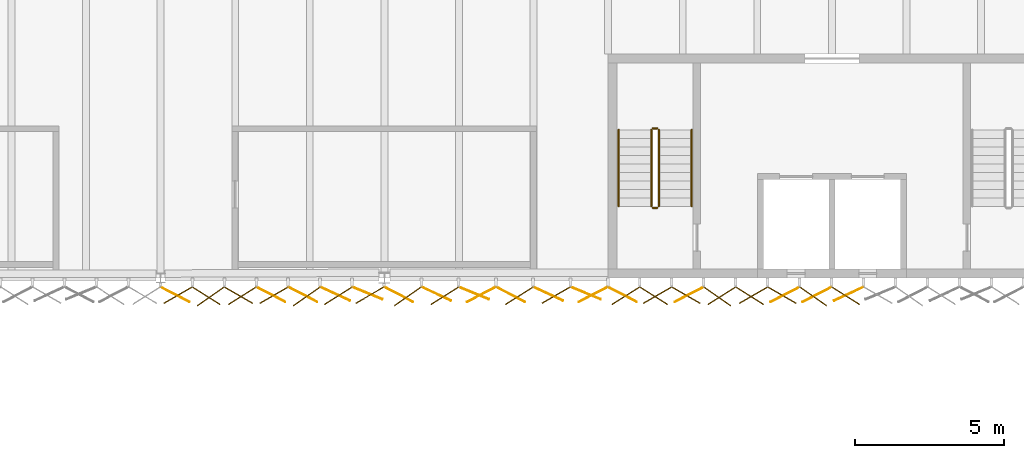
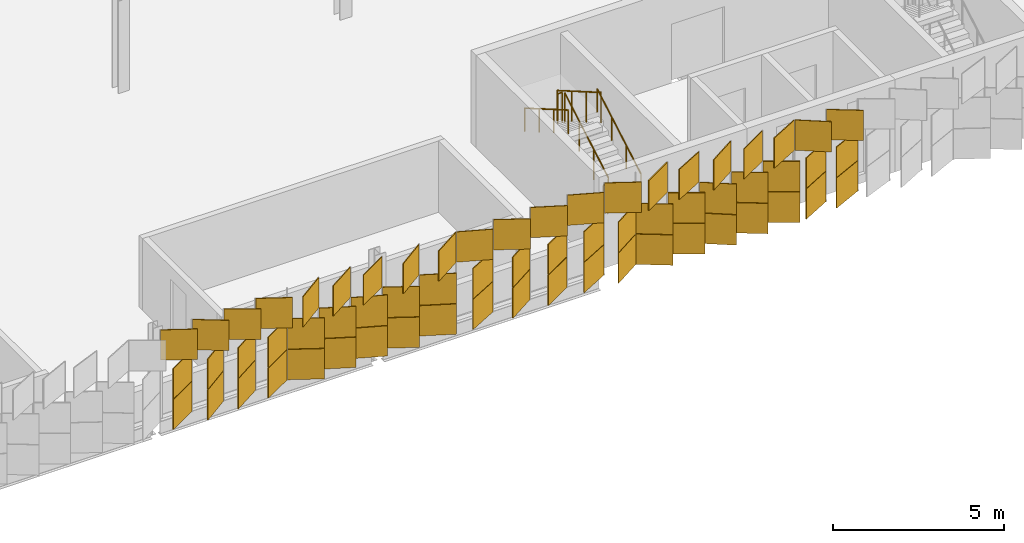
# One storey, part 184 of 198: 63 coverings, 6 railings.
"""IFC4 building model written with IfcOpenShell, lengths in metres."""

from ifc_helpers import new_model, si_unit, direction, frame, origin, origin_2d, place, context, subcontext, project, spatial, rectangle, circle, extrude, material, layer, layer_set, type_object, element, save


model = new_model("IFC4")

# Units and contexts
model_context = context("Model", 3, precision=1e-05, world=origin(), true_north=direction((0.0, 1.0)))
body_context = subcontext(model_context, "Body", "Model", "MODEL_VIEW")
ifc_project = project(units=[si_unit("LENGTHUNIT", "METRE"), si_unit("AREAUNIT", "SQUARE_METRE"), si_unit("VOLUMEUNIT", "CUBIC_METRE"), si_unit("PLANEANGLEUNIT", "RADIAN"), si_unit("MASSUNIT", "GRAM", prefix="KILO")], contexts=[model_context])

# Site, building, storey
site_placement = place(None, origin())
site = spatial("IfcSite", under=ifc_project, at=site_placement, CompositionType="ELEMENT")
building_placement = place(site_placement, origin())
building = spatial("IfcBuilding", under=site, at=building_placement, Name="Parallax Yard Mobility Hub", CompositionType="ELEMENT")
storey_placement = place(building_placement, frame((0.0, 0.0, 6.60009765625)))
storey = spatial("IfcBuildingStorey", under=building, at=storey_placement, Name="L02", CompositionType="ELEMENT", Elevation=6.60009765625)

# Coverings
ifc_material_1 = material(Name="Aluminium panel, champagne finish", Category="aluminium")
ifc_layer_1 = layer(ifc_material_1, 0.030029296875)
ifc_layer_set_1 = layer_set([ifc_layer_1], Name="Skin panel 22.5 degree turn, champagne finish")
covering_type_1 = type_object("IfcCoveringType", Name="Skin panel 22.5 degree turn, champagne finish", PredefinedType="CLADDING", material=ifc_layer_set_1)
for number, where, z_axis, x_axis, name in (
    (1, (119.43408203125, 111.987060546875, 1.119873046875), (0.0, 0.0, 1.0), (0.923879532511, -0.382683432365, 0.0), "Skin panel 22.5 bay 11.7 row 2 level L02"),
    (2, (123.00390625, 111.987060546875, 2.219970703125), (0.0, 0.0, 1.0), (0.923879532511, -0.382683432365, 0.0), "Skin panel 22.5 bay 12.3 row 3 level L02"),
    (3, (126.751708984375, 111.987060546875, 2.219970703125), (0.0, 0.0, 1.0), (0.923879532511, -0.382683432365, 0.0), "Skin panel 22.5 bay 12.6 row 3 level L02"),
):
    element("IfcCovering", number, at=place(storey_placement, frame(where, z_axis=z_axis, x_axis=x_axis)), inside=storey, type_object=covering_type_1, Name=name, ObjectType="SCREEN", PredefinedType="CLADDING", context=body_context, shape_type="SweptSolid", body=[
        extrude(rectangle(XDim=1.080078125, YDim=0.030029296875, at=origin_2d()), origin(), (0.0, 0.0, 1.0), 1.080078125),
    ])
ifc_material_2 = material(Name="Aluminium panel, light oak finish", Category="aluminium")
ifc_layer_2 = layer(ifc_material_2, 0.030029296875)
ifc_layer_set_2 = layer_set([ifc_layer_2], Name="Skin panel 22.5 degree turn, oak finish")
covering_type_2 = type_object("IfcCoveringType", Name="Skin panel 22.5 degree turn, oak finish", PredefinedType="CLADDING", material=ifc_layer_set_2)
covering_placement = place(storey_placement, frame((119.43408203125, 111.987060546875, 0.019775390625), z_axis=(0.0, 0.0, 1.0), x_axis=(0.923879532511, -0.382683432365, 0.0)))
element("IfcCovering", 4, at=covering_placement, inside=storey, type_object=covering_type_2, Name="Skin panel 22.5 bay 11.7 row 1 level L02", ObjectType="SCREEN", PredefinedType="CLADDING", context=body_context, shape_type="SweptSolid", body=[
    extrude(rectangle(XDim=1.080078125, YDim=0.030029296875, at=origin_2d()), origin(), (0.0, 0.0, 1.0), 1.080078125),
])
ifc_layer_3 = layer(ifc_material_1, 0.030029296875)
ifc_layer_set_3 = layer_set([ifc_layer_3], Name="Skin panel 25 degree turn, champagne finish")
covering_type_3 = type_object("IfcCoveringType", Name="Skin panel 25 degree turn, champagne finish", PredefinedType="CLADDING", material=ifc_layer_set_3)
for number, where, z_axis, x_axis, name in (
    (5, (118.352783203125, 111.96484375, 1.119873046875), (0.0, 0.0, 1.0), (0.906307787037, -0.422618261741, 0.0), "Skin panel 25 bay 11.6 row 2 level L02"),
    (6, (121.744873046875, 111.96484375, 1.119873046875), (0.0, 0.0, 1.0), (0.906307787037, -0.422618261741, 0.0), "Skin panel 25 bay 12.2 row 2 level L02"),
    (7, (125.49267578125, 111.96484375, 2.219970703125), (0.0, 0.0, 1.0), (0.906307787037, -0.422618261741, 0.0), "Skin panel 25 bay 12.5 row 3 level L02"),
    (8, (135.560546875, 111.96484375, 1.119873046875), (0.0, 0.0, 1.0), (-0.906307787037, -0.422618261741, 0.0), "Skin panel 25 bay 13.8 row 2 level L02"),
):
    element("IfcCovering", number, at=place(storey_placement, frame(where, z_axis=z_axis, x_axis=x_axis)), inside=storey, type_object=covering_type_3, Name=name, ObjectType="SCREEN", PredefinedType="CLADDING", context=body_context, shape_type="SweptSolid", body=[
        extrude(rectangle(XDim=1.080078125, YDim=0.030029296875, at=origin_2d()), origin(), (0.0, 0.0, 1.0), 1.080078125),
    ])
ifc_layer_4 = layer(ifc_material_2, 0.030029296875)
ifc_layer_set_4 = layer_set([ifc_layer_4], Name="Skin panel 25 degree turn, oak finish")
covering_type_4 = type_object("IfcCoveringType", Name="Skin panel 25 degree turn, oak finish", PredefinedType="CLADDING", material=ifc_layer_set_4)
for number, where, z_axis, x_axis, name in (
    (9, (118.352783203125, 111.96484375, 0.019775390625), (0.0, 0.0, 1.0), (0.906307787037, -0.422618261741, 0.0), "Skin panel 25 bay 11.6 row 1 level L02"),
    (10, (121.744873046875, 111.96484375, 0.019775390625), (0.0, 0.0, 1.0), (0.906307787037, -0.422618261741, 0.0), "Skin panel 25 bay 12.2 row 1 level L02"),
    (11, (135.560546875, 111.96484375, 0.019775390625), (0.0, 0.0, 1.0), (-0.906307787037, -0.422618261741, 0.0), "Skin panel 25 bay 13.8 row 1 level L02"),
):
    element("IfcCovering", number, at=place(storey_placement, frame(where, z_axis=z_axis, x_axis=x_axis)), inside=storey, type_object=covering_type_4, Name=name, ObjectType="SCREEN", PredefinedType="CLADDING", context=body_context, shape_type="SweptSolid", body=[
        extrude(rectangle(XDim=1.080078125, YDim=0.030029296875, at=origin_2d()), origin(), (0.0, 0.0, 1.0), 1.080078125),
    ])
ifc_layer_5 = layer(ifc_material_1, 0.030029296875)
ifc_layer_set_5 = layer_set([ifc_layer_5], Name="Skin panel 27.5 degree turn, champagne finish")
covering_type_5 = type_object("IfcCoveringType", Name="Skin panel 27.5 degree turn, champagne finish", PredefinedType="CLADDING", material=ifc_layer_set_5)
for number, where, z_axis, x_axis, name in (
    (12, (112.984375, 111.943115234375, 2.219970703125), (0.0, 0.0, 1.0), (0.887010833178, -0.461748613235, 0.0), "Skin panel 27.5 bay 11.1 row 3 level L02"),
    (13, (116.198974609375, 111.943115234375, 2.219970703125), (0.0, 0.0, 1.0), (0.887010833178, -0.461748613235, 0.0), "Skin panel 27.5 bay 11.4 row 3 level L02"),
    (14, (117.2705078125, 111.943115234375, 1.119873046875), (0.0, 0.0, 1.0), (0.887010833178, -0.461748613235, 0.0), "Skin panel 27.5 bay 11.5 row 2 level L02"),
    (15, (120.485107421875, 111.943115234375, 1.119873046875), (0.0, 0.0, 1.0), (0.887010833178, -0.461748613235, 0.0), "Skin panel 27.5 bay 12.1 row 2 level L02"),
    (16, (123.24560546875, 111.943115234375, 1.119873046875), (0.0, 0.0, 1.0), (-0.887010833178, -0.461748613235, 0.0), "Skin panel 27.5 bay 12.3 row 2 level L02"),
    (17, (124.232666015625, 111.943115234375, 2.219970703125), (0.0, 0.0, 1.0), (0.887010833178, -0.461748613235, 0.0), "Skin panel 27.5 bay 12.4 row 3 level L02"),
    (18, (126.993408203125, 111.943115234375, 1.119873046875), (0.0, 0.0, 1.0), (-0.887010833178, -0.461748613235, 0.0), "Skin panel 27.5 bay 12.6 row 2 level L02"),
    (19, (127.98046875, 111.943115234375, 2.219970703125), (0.0, 0.0, 1.0), (0.887010833178, -0.461748613235, 0.0), "Skin panel 27.5 bay 13.1 row 3 level L02"),
    (20, (130.210205078125, 111.943115234375, 2.219970703125), (0.0, 0.0, 1.0), (-0.887010833178, -0.461748613235, 0.0), "Skin panel 27.5 bay 13.3 row 3 level L02"),
    (21, (133.4267578125, 111.943115234375, 2.219970703125), (0.0, 0.0, 1.0), (-0.887010833178, -0.461748613235, 0.0), "Skin panel 27.5 bay 13.6 row 3 level L02"),
    (22, (134.4990234375, 111.943115234375, 1.119873046875), (0.0, 0.0, 1.0), (-0.887010833178, -0.461748613235, 0.0), "Skin panel 27.5 bay 13.7 row 2 level L02"),
):
    element("IfcCovering", number, at=place(storey_placement, frame(where, z_axis=z_axis, x_axis=x_axis)), inside=storey, type_object=covering_type_5, Name=name, ObjectType="SCREEN", PredefinedType="CLADDING", context=body_context, shape_type="SweptSolid", body=[
        extrude(rectangle(XDim=1.080078125, YDim=0.030029296875, at=origin_2d()), origin(), (0.0, 0.0, 1.0), 1.080078125),
    ])
ifc_layer_6 = layer(ifc_material_2, 0.030029296875)
ifc_layer_set_6 = layer_set([ifc_layer_6], Name="Skin panel 27.5 degree turn, oak finish")
covering_type_6 = type_object("IfcCoveringType", Name="Skin panel 27.5 degree turn, oak finish", PredefinedType="CLADDING", material=ifc_layer_set_6)
for number, where, z_axis, x_axis, name in (
    (23, (117.2705078125, 111.943115234375, 0.019775390625), (0.0, 0.0, 1.0), (0.887010833178, -0.461748613235, 0.0), "Skin panel 27.5 bay 11.5 row 1 level L02"),
    (24, (120.485107421875, 111.943115234375, 0.019775390625), (0.0, 0.0, 1.0), (0.887010833178, -0.461748613235, 0.0), "Skin panel 27.5 bay 12.1 row 1 level L02"),
    (25, (123.24560546875, 111.943115234375, 0.019775390625), (0.0, 0.0, 1.0), (-0.887010833178, -0.461748613235, 0.0), "Skin panel 27.5 bay 12.3 row 1 level L02"),
    (26, (126.993408203125, 111.943115234375, 0.019775390625), (0.0, 0.0, 1.0), (-0.887010833178, -0.461748613235, 0.0), "Skin panel 27.5 bay 12.6 row 1 level L02"),
    (27, (134.4990234375, 111.943115234375, 0.019775390625), (0.0, 0.0, 1.0), (-0.887010833178, -0.461748613235, 0.0), "Skin panel 27.5 bay 13.7 row 1 level L02"),
):
    element("IfcCovering", number, at=place(storey_placement, frame(where, z_axis=z_axis, x_axis=x_axis)), inside=storey, type_object=covering_type_6, Name=name, ObjectType="SCREEN", PredefinedType="CLADDING", context=body_context, shape_type="SweptSolid", body=[
        extrude(rectangle(XDim=1.080078125, YDim=0.030029296875, at=origin_2d()), origin(), (0.0, 0.0, 1.0), 1.080078125),
    ])
ifc_layer_7 = layer(ifc_material_1, 0.030029296875)
ifc_layer_set_7 = layer_set([ifc_layer_7], Name="Skin panel 30 degree turn, champagne finish")
covering_type_7 = type_object("IfcCoveringType", Name="Skin panel 30 degree turn, champagne finish", PredefinedType="CLADDING", material=ifc_layer_set_7)
for number, where, z_axis, x_axis, name in (
    (28, (113.08056640625, 111.921875, 1.119873046875), (0.0, 0.0, 1.0), (-0.866025403784, -0.5, 0.0), "Skin panel 30 bay 11.1 row 2 level L02"),
    (29, (115.11572265625, 111.921875, 2.219970703125), (0.0, 0.0, 1.0), (0.866025403784, -0.5, 0.0), "Skin panel 30 bay 11.3 row 3 level L02"),
    (30, (116.295166015625, 111.921875, 1.119873046875), (0.0, 0.0, 1.0), (-0.866025403784, -0.5, 0.0), "Skin panel 30 bay 11.4 row 2 level L02"),
    (31, (119.509765625, 111.921875, 2.219970703125), (0.0, 0.0, 1.0), (-0.866025403784, -0.5, 0.0), "Skin panel 30 bay 11.7 row 3 level L02"),
    (32, (125.755859375, 111.921875, 1.119873046875), (0.0, 0.0, 1.0), (-0.866025403784, -0.5, 0.0), "Skin panel 30 bay 12.5 row 2 level L02"),
    (33, (129.149658203125, 111.921875, 2.219970703125), (0.0, 0.0, 1.0), (-0.866025403784, -0.5, 0.0), "Skin panel 30 bay 13.2 row 3 level L02"),
    (34, (130.11328125, 111.921875, 1.119873046875), (0.0, 0.0, 1.0), (0.866025403784, -0.5, 0.0), "Skin panel 30 bay 13.3 row 2 level L02"),
    (35, (132.3662109375, 111.921875, 2.219970703125), (0.0, 0.0, 1.0), (-0.866025403784, -0.5, 0.0), "Skin panel 30 bay 13.5 row 3 level L02"),
    (36, (133.329833984375, 111.921875, 1.119873046875), (0.0, 0.0, 1.0), (0.866025403784, -0.5, 0.0), "Skin panel 30 bay 13.6 row 2 level L02"),
):
    element("IfcCovering", number, at=place(storey_placement, frame(where, z_axis=z_axis, x_axis=x_axis)), inside=storey, type_object=covering_type_7, Name=name, ObjectType="SCREEN", PredefinedType="CLADDING", context=body_context, shape_type="SweptSolid", body=[
        extrude(rectangle(XDim=1.080078125, YDim=0.030029296875, at=origin_2d()), origin(), (0.0, 0.0, 1.0), 1.080078125),
    ])
ifc_layer_8 = layer(ifc_material_2, 0.030029296875)
ifc_layer_set_8 = layer_set([ifc_layer_8], Name="Skin panel 30 degree turn, oak finish")
covering_type_8 = type_object("IfcCoveringType", Name="Skin panel 30 degree turn, oak finish", PredefinedType="CLADDING", material=ifc_layer_set_8)
for number, where, z_axis, x_axis, name in (
    (37, (113.08056640625, 111.921875, 0.019775390625), (0.0, 0.0, 1.0), (-0.866025403784, -0.5, 0.0), "Skin panel 30 bay 11.1 row 1 level L02"),
    (38, (116.295166015625, 111.921875, 0.019775390625), (0.0, 0.0, 1.0), (-0.866025403784, -0.5, 0.0), "Skin panel 30 bay 11.4 row 1 level L02"),
    (39, (125.755859375, 111.921875, 0.019775390625), (0.0, 0.0, 1.0), (-0.866025403784, -0.5, 0.0), "Skin panel 30 bay 12.5 row 1 level L02"),
    (40, (130.11328125, 111.921875, 0.019775390625), (0.0, 0.0, 1.0), (0.866025403784, -0.5, 0.0), "Skin panel 30 bay 13.3 row 1 level L02"),
    (41, (133.329833984375, 111.921875, 0.019775390625), (0.0, 0.0, 1.0), (0.866025403784, -0.5, 0.0), "Skin panel 30 bay 13.6 row 1 level L02"),
):
    element("IfcCovering", number, at=place(storey_placement, frame(where, z_axis=z_axis, x_axis=x_axis)), inside=storey, type_object=covering_type_8, Name=name, ObjectType="SCREEN", PredefinedType="CLADDING", context=body_context, shape_type="SweptSolid", body=[
        extrude(rectangle(XDim=1.080078125, YDim=0.030029296875, at=origin_2d()), origin(), (0.0, 0.0, 1.0), 1.080078125),
    ])
ifc_layer_9 = layer(ifc_material_1, 0.030029296875)
ifc_layer_set_9 = layer_set([ifc_layer_9], Name="Skin panel 32.5 degree turn, champagne finish")
covering_type_9 = type_object("IfcCoveringType", Name="Skin panel 32.5 degree turn, champagne finish", PredefinedType="CLADDING", material=ifc_layer_set_9)
for number, where, z_axis, x_axis, name in (
    (42, (114.03173828125, 111.901123046875, 2.219970703125), (0.0, 0.0, 1.0), (0.843391445813, -0.537299608347, 0.0), "Skin panel 32.5 bay 11.2 row 3 level L02"),
    (43, (115.236083984375, 111.901123046875, 1.119873046875), (0.0, 0.0, 1.0), (-0.843391445813, -0.537299608347, 0.0), "Skin panel 32.5 bay 11.3 row 2 level L02"),
    (44, (118.45068359375, 111.901123046875, 2.219970703125), (0.0, 0.0, 1.0), (-0.843391445813, -0.537299608347, 0.0), "Skin panel 32.5 bay 11.6 row 3 level L02"),
    (45, (122.020751953125, 111.901123046875, 2.219970703125), (0.0, 0.0, 1.0), (-0.843391445813, -0.537299608347, 0.0), "Skin panel 32.5 bay 12.2 row 3 level L02"),
    (46, (124.519287109375, 111.901123046875, 1.119873046875), (0.0, 0.0, 1.0), (-0.843391445813, -0.537299608347, 0.0), "Skin panel 32.5 bay 12.4 row 2 level L02"),
    (47, (128.090087890625, 111.901123046875, 1.119873046875), (0.0, 0.0, 1.0), (-0.843391445813, -0.537299608347, 0.0), "Skin panel 32.5 bay 13.1 row 2 level L02"),
    (48, (129.0283203125, 111.901123046875, 1.119873046875), (0.0, 0.0, 1.0), (0.843391445813, -0.537299608347, 0.0), "Skin panel 32.5 bay 13.2 row 2 level L02"),
    (49, (131.306640625, 111.901123046875, 2.219970703125), (0.0, 0.0, 1.0), (-0.843391445813, -0.537299608347, 0.0), "Skin panel 32.5 bay 13.4 row 3 level L02"),
    (50, (132.2451171875, 111.901123046875, 1.119873046875), (0.0, 0.0, 1.0), (0.843391445813, -0.537299608347, 0.0), "Skin panel 32.5 bay 13.5 row 2 level L02"),
    (51, (135.461669921875, 111.901123046875, 2.219970703125), (0.0, 0.0, 1.0), (0.843391445813, -0.537299608347, 0.0), "Skin panel 32.5 bay 13.8 row 3 level L02"),
):
    element("IfcCovering", number, at=place(storey_placement, frame(where, z_axis=z_axis, x_axis=x_axis)), inside=storey, type_object=covering_type_9, Name=name, ObjectType="SCREEN", PredefinedType="CLADDING", context=body_context, shape_type="SweptSolid", body=[
        extrude(rectangle(XDim=1.080078125, YDim=0.030029296875, at=origin_2d()), origin(), (0.0, 0.0, 1.0), 1.080078125),
    ])
ifc_layer_10 = layer(ifc_material_2, 0.030029296875)
ifc_layer_set_10 = layer_set([ifc_layer_10], Name="Skin panel 32.5 degree turn, oak finish")
covering_type_10 = type_object("IfcCoveringType", Name="Skin panel 32.5 degree turn, oak finish", PredefinedType="CLADDING", material=ifc_layer_set_10)
for number, where, z_axis, x_axis, name in (
    (52, (115.236083984375, 111.901123046875, 0.019775390625), (0.0, 0.0, 1.0), (-0.843391445813, -0.537299608347, 0.0), "Skin panel 32.5 bay 11.3 row 1 level L02"),
    (53, (124.519287109375, 111.901123046875, 0.019775390625), (0.0, 0.0, 1.0), (-0.843391445813, -0.537299608347, 0.0), "Skin panel 32.5 bay 12.4 row 1 level L02"),
    (54, (128.090087890625, 111.901123046875, 0.019775390625), (0.0, 0.0, 1.0), (-0.843391445813, -0.537299608347, 0.0), "Skin panel 32.5 bay 13.1 row 1 level L02"),
    (55, (129.0283203125, 111.901123046875, 0.019775390625), (0.0, 0.0, 1.0), (0.843391445813, -0.537299608347, 0.0), "Skin panel 32.5 bay 13.2 row 1 level L02"),
    (56, (132.2451171875, 111.901123046875, 0.019775390625), (0.0, 0.0, 1.0), (0.843391445813, -0.537299608347, 0.0), "Skin panel 32.5 bay 13.5 row 1 level L02"),
):
    element("IfcCovering", number, at=place(storey_placement, frame(where, z_axis=z_axis, x_axis=x_axis)), inside=storey, type_object=covering_type_10, Name=name, ObjectType="SCREEN", PredefinedType="CLADDING", context=body_context, shape_type="SweptSolid", body=[
        extrude(rectangle(XDim=1.080078125, YDim=0.030029296875, at=origin_2d()), origin(), (0.0, 0.0, 1.0), 1.080078125),
    ])
ifc_layer_11 = layer(ifc_material_1, 0.030029296875)
ifc_layer_set_11 = layer_set([ifc_layer_11], Name="Skin panel 35 degree turn, champagne finish")
covering_type_11 = type_object("IfcCoveringType", Name="Skin panel 35 degree turn, champagne finish", PredefinedType="CLADDING", material=ifc_layer_set_11)
for number, where, z_axis, x_axis, name in (
    (57, (114.17822265625, 111.880859375, 1.119873046875), (0.0, 0.0, 1.0), (-0.819152044289, -0.573576436351, 0.0), "Skin panel 35 bay 11.2 row 2 level L02"),
    (58, (117.392578125, 111.880859375, 2.219970703125), (0.0, 0.0, 1.0), (-0.819152044289, -0.573576436351, 0.0), "Skin panel 35 bay 11.5 row 3 level L02"),
    (59, (120.784912109375, 111.880859375, 2.219970703125), (0.0, 0.0, 1.0), (-0.819152044289, -0.573576436351, 0.0), "Skin panel 35 bay 12.1 row 3 level L02"),
    (60, (131.159423828125, 111.880859375, 1.119873046875), (0.0, 0.0, 1.0), (0.819152044289, -0.573576436351, 0.0), "Skin panel 35 bay 13.4 row 2 level L02"),
    (61, (134.3759765625, 111.880859375, 2.219970703125), (0.0, 0.0, 1.0), (0.819152044289, -0.573576436351, 0.0), "Skin panel 35 bay 13.7 row 3 level L02"),
):
    element("IfcCovering", number, at=place(storey_placement, frame(where, z_axis=z_axis, x_axis=x_axis)), inside=storey, type_object=covering_type_11, Name=name, ObjectType="SCREEN", PredefinedType="CLADDING", context=body_context, shape_type="SweptSolid", body=[
        extrude(rectangle(XDim=1.080078125, YDim=0.030029296875, at=origin_2d()), origin(), (0.0, 0.0, 1.0), 1.080078125),
    ])
ifc_layer_12 = layer(ifc_material_2, 0.030029296875)
ifc_layer_set_12 = layer_set([ifc_layer_12], Name="Skin panel 35 degree turn, oak finish")
covering_type_12 = type_object("IfcCoveringType", Name="Skin panel 35 degree turn, oak finish", PredefinedType="CLADDING", material=ifc_layer_set_12)
for number, where, z_axis, x_axis, name in (
    (62, (114.17822265625, 111.880859375, 0.019775390625), (0.0, 0.0, 1.0), (-0.819152044289, -0.573576436351, 0.0), "Skin panel 35 bay 11.2 row 1 level L02"),
    (63, (131.159423828125, 111.880859375, 0.019775390625), (0.0, 0.0, 1.0), (0.819152044289, -0.573576436351, 0.0), "Skin panel 35 bay 13.4 row 1 level L02"),
):
    element("IfcCovering", number, at=place(storey_placement, frame(where, z_axis=z_axis, x_axis=x_axis)), inside=storey, type_object=covering_type_12, Name=name, ObjectType="SCREEN", PredefinedType="CLADDING", context=body_context, shape_type="SweptSolid", body=[
        extrude(rectangle(XDim=1.080078125, YDim=0.030029296875, at=origin_2d()), origin(), (0.0, 0.0, 1.0), 1.080078125),
    ])

# Railings
ifc_material_3 = material(Name="Steel ASTM A36", Category="steel")
railing_type_1 = type_object("IfcRailingType", Name="Stair guard 1100", PredefinedType="GUARDRAIL", material=ifc_material_3)
railing_1_placement = place(storey_placement, frame((129.199951171875, 114.89990234375, 0.164794921875)))
element("IfcRailing", 64, at=railing_1_placement, inside=storey, type_object=railing_type_1, Name="L02 ST6 stair guard 1", PredefinedType="GUARDRAIL", context=body_context, shape_type="SweptSolid", body=[
    extrude(circle(Radius=0.02392578125, at=origin_2d()), frame((0.0, 0.0, 1.076171875), z_axis=(0.0, 0.865426285481, 0.501036270542), x_axis=(-1.0, 0.0, 0.0)), (0.0, 0.0, 1.0), 2.964111328125),
    extrude(circle(Radius=0.02099609375, at=origin_2d()), origin(), (0.0, 0.0, 1.0), 1.052001953125),
    extrude(circle(Radius=0.02099609375, at=origin_2d()), frame((0.0, 0.85498046875, 0.4951171875)), (0.0, 0.0, 1.0), 1.052001953125),
    extrude(circle(Radius=0.02099609375, at=origin_2d()), frame((0.0, 1.710205078125, 0.989990234375)), (0.0, 0.0, 1.0), 1.052001953125),
    extrude(circle(Radius=0.02099609375, at=origin_2d()), frame((0.0, 2.565185546875, 1.485107421875)), (0.0, 0.0, 1.0), 1.052001953125),
])
railing_2_placement = place(storey_placement, frame((129.14990234375, 117.514892578125, 1.64990234375)))
element("IfcRailing", 65, at=railing_2_placement, inside=storey, type_object=railing_type_1, Name="L02 ST6 stair guard 2", PredefinedType="GUARDRAIL", context=body_context, shape_type="SweptSolid", body=[
    extrude(circle(Radius=0.02392578125, at=origin_2d()), frame((0.0, 0.0, 1.076171875), z_axis=(-1.0, 0.0, 0.0), x_axis=(0.0, -1.0, 0.0)), (0.0, 0.0, 1.0), 0.14990234375),
    extrude(circle(Radius=0.02099609375, at=origin_2d()), origin(), (0.0, 0.0, 1.0), 1.052001953125),
    extrude(circle(Radius=0.02099609375, at=origin_2d()), frame((-0.14990234375, 0.0, 0.0)), (0.0, 0.0, 1.0), 1.052001953125),
])
railing_3_placement = place(storey_placement, frame((128.949951171875, 117.465087890625, 1.81494140625)))
element("IfcRailing", 66, at=railing_3_placement, inside=storey, type_object=railing_type_1, Name="L02 ST6 stair guard 3", PredefinedType="GUARDRAIL", context=body_context, shape_type="SweptSolid", body=[
    extrude(circle(Radius=0.02392578125, at=origin_2d()), frame((0.0, 0.0, 1.076171875), z_axis=(0.0, -0.865461999751, 0.500974577186), x_axis=(1.0, 0.0, 0.0)), (0.0, 0.0, 1.0), 2.9638671875),
    extrude(circle(Radius=0.02099609375, at=origin_2d()), origin(), (0.0, 0.0, 1.0), 1.052001953125),
    extrude(circle(Radius=0.02099609375, at=origin_2d()), frame((0.0, -0.85498046875, 0.494873046875)), (0.0, 0.0, 1.0), 1.052001953125),
    extrude(circle(Radius=0.02099609375, at=origin_2d()), frame((0.0, -1.710205078125, 0.989990234375)), (0.0, 0.0, 1.0), 1.052001953125),
    extrude(circle(Radius=0.02099609375, at=origin_2d()), frame((0.0, -2.565185546875, 1.48486328125)), (0.0, 0.0, 1.0), 1.052001953125),
])
railing_4_placement = place(storey_placement, frame((129.14990234375, 114.85009765625, 0.0)))
element("IfcRailing", 67, at=railing_4_placement, inside=storey, type_object=railing_type_1, Name="L02 ST6 stair guard 4", PredefinedType="GUARDRAIL", context=body_context, shape_type="SweptSolid", body=[
    extrude(circle(Radius=0.02392578125, at=origin_2d()), frame((0.0, 0.0, 1.076171875), z_axis=(-1.0, 0.0, 0.0), x_axis=(0.0, -1.0, 0.0)), (0.0, 0.0, 1.0), 0.14990234375),
    extrude(circle(Radius=0.02099609375, at=origin_2d()), origin(), (0.0, 0.0, 1.0), 1.052001953125),
    extrude(circle(Radius=0.02099609375, at=origin_2d()), frame((-0.14990234375, 0.0, 0.0)), (0.0, 0.0, 1.0), 1.052001953125),
])
railing_type_2 = type_object("IfcRailingType", Name="Stair handrail", PredefinedType="HANDRAIL", material=ifc_material_3)
railing_5_placement = place(storey_placement, frame((130.300048828125, 114.89990234375, 0.164794921875)))
element("IfcRailing", 68, at=railing_5_placement, inside=storey, type_object=railing_type_2, Name="L02 ST6 stair handrail 1", PredefinedType="HANDRAIL", context=body_context, shape_type="SweptSolid", body=[
    extrude(circle(Radius=0.02392578125, at=origin_2d()), frame((0.0, 0.0, 0.8310546875), z_axis=(0.0, 0.865426285481, 0.501036270542), x_axis=(-1.0, 0.0, 0.0)), (0.0, 0.0, 1.0), 2.964111328125),
    extrude(circle(Radius=0.02099609375, at=origin_2d()), origin(), (0.0, 0.0, 1.0), 0.806884765625),
    extrude(circle(Radius=0.02099609375, at=origin_2d()), frame((0.0, 0.85498046875, 0.4951171875)), (0.0, 0.0, 1.0), 0.806884765625),
    extrude(circle(Radius=0.02099609375, at=origin_2d()), frame((0.0, 1.710205078125, 0.989990234375)), (0.0, 0.0, 1.0), 0.806884765625),
    extrude(circle(Radius=0.02099609375, at=origin_2d()), frame((0.0, 2.565185546875, 1.485107421875)), (0.0, 0.0, 1.0), 0.806884765625),
])
railing_6_placement = place(storey_placement, frame((127.85009765625, 117.465087890625, 1.81494140625)))
element("IfcRailing", 69, at=railing_6_placement, inside=storey, type_object=railing_type_2, Name="L02 ST6 stair handrail 2", PredefinedType="HANDRAIL", context=body_context, shape_type="SweptSolid", body=[
    extrude(circle(Radius=0.02392578125, at=origin_2d()), frame((0.0, 0.0, 0.8310546875), z_axis=(0.0, -0.865461999751, 0.500974577186), x_axis=(1.0, 0.0, 0.0)), (0.0, 0.0, 1.0), 2.9638671875),
    extrude(circle(Radius=0.02099609375, at=origin_2d()), origin(), (0.0, 0.0, 1.0), 0.806884765625),
    extrude(circle(Radius=0.02099609375, at=origin_2d()), frame((0.0, -0.85498046875, 0.494873046875)), (0.0, 0.0, 1.0), 0.806884765625),
    extrude(circle(Radius=0.02099609375, at=origin_2d()), frame((0.0, -1.710205078125, 0.989990234375)), (0.0, 0.0, 1.0), 0.806884765625),
    extrude(circle(Radius=0.02099609375, at=origin_2d()), frame((0.0, -2.565185546875, 1.48486328125)), (0.0, 0.0, 1.0), 0.806884765625),
])

save(model, "model.ifc")
